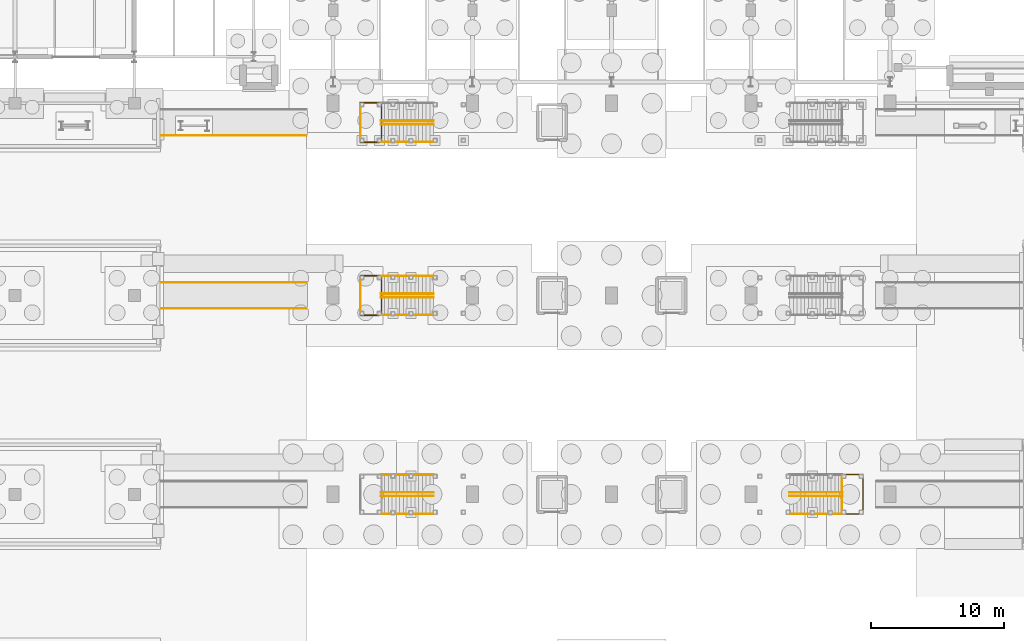
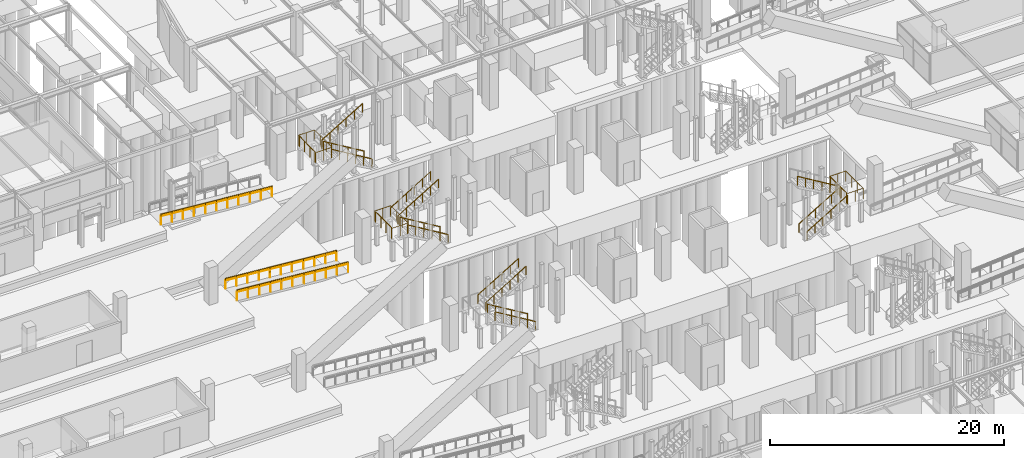
# One storey, part 156 of 160: 26 railings.
"""IFC4 building model written with IfcOpenShell, lengths in metres."""

import ifcopenshell
import ifcopenshell.guid

model = None  # the IFC model being written
_history = None  # IfcOwnerHistory: only IFC2X3 demands one
_inside = {}  # id of a spatial element -> (the spatial element, [elements in it])
_under = {}  # id of a project, library or spatial element -> (it, [spatial elements below it])
_declared = {}  # id of a project -> (the project, [libraries it declares])
_typed = {}  # id of a type object -> (the type object, [elements of that type])
_made_of = {}  # id of a material, layer set ... -> (it, [elements and type objects made of it])


def new_model(schema):
    """Start an empty IFC model of exactly this schema.

    Asked for "IFC4X3", IfcOpenShell would pick the latest addendum, in which some entities
    have other attributes; the version numbers below select the first issue.
    IFC2X3 requires an IfcOwnerHistory on every rooted entity: one is made here for all.
    """
    global model, _history
    if schema == "IFC4X3":
        model = ifcopenshell.file(schema_version=(4, 3, 0, 0))
    else:
        model = ifcopenshell.file(schema=schema)
    _inside.clear()
    _under.clear()
    _declared.clear()
    _typed.clear()
    _made_of.clear()
    _history = None
    if model.schema == "IFC2X3":
        org = make("IfcOrganization", Name="unknown")
        user = make(
            "IfcPersonAndOrganization",
            ThePerson=make("IfcPerson", FamilyName="unknown"),
            TheOrganization=org,
        )
        app = make(
            "IfcApplication",
            ApplicationDeveloper=org,
            Version="unknown",
            ApplicationFullName="unknown",
            ApplicationIdentifier="unknown",
        )
        _history = make(
            "IfcOwnerHistory",
            OwningUser=user,
            OwningApplication=app,
            ChangeAction="ADDED",
            CreationDate=0,
        )
    return model


def make(cls, **values):
    """One entity of the class cls with the attributes given. An attribute that is None is left unset."""
    return model.create_entity(
        cls, **{name: value for name, value in values.items() if value is not None}
    )


def rooted(cls, **values):
    """An entity with a GlobalId (a new one), such as an element, a storey or a relation."""
    return make(cls, GlobalId=ifcopenshell.guid.new(), OwnerHistory=_history, **values)


def si_unit(unit_type, name, prefix=None):
    """IfcSIUnit, for example si_unit("LENGTHUNIT", "METRE", prefix="MILLI")."""
    return make("IfcSIUnit", UnitType=unit_type, Prefix=prefix, Name=name)


def assignment(units):
    """IfcUnitAssignment: the units of a project."""
    return None if units is None else make("IfcUnitAssignment", Units=units)


def point(xyz):
    """IfcCartesianPoint."""
    return None if xyz is None else make("IfcCartesianPoint", Coordinates=xyz)


def direction(xyz):
    """IfcDirection."""
    return None if xyz is None else make("IfcDirection", DirectionRatios=xyz)


def frame(location, z_axis=None, x_axis=None):
    """IfcAxis2Placement3D, a coordinate frame: its origin and axes. An axis left out is left unset."""
    return make(
        "IfcAxis2Placement3D",
        Location=point(location),
        Axis=direction(z_axis),
        RefDirection=direction(x_axis),
    )


def frame_2d(location, x_axis=None):
    """IfcAxis2Placement2D, a coordinate frame in the plane: its origin and x axis."""
    return make(
        "IfcAxis2Placement2D", Location=point(location), RefDirection=direction(x_axis)
    )


def origin():
    """The frame at (0, 0, 0) with its axes left unset."""
    return frame((0.0, 0.0, 0.0))


def origin_2d():
    """The frame at (0, 0) in the plane with its x axis left unset."""
    return frame_2d((0.0, 0.0))


def place(relative_to, where):
    """IfcLocalPlacement: puts the frame where relative to a parent placement (None: the world)."""
    return make(
        "IfcLocalPlacement", PlacementRelTo=relative_to, RelativePlacement=where
    )


def context(
    kind, dimensions, precision=None, world=None, true_north=None, identifier=None
):
    """IfcGeometricRepresentationContext, for example the 3D "Model" context."""
    return make(
        "IfcGeometricRepresentationContext",
        ContextIdentifier=identifier,
        ContextType=kind,
        CoordinateSpaceDimension=dimensions,
        Precision=precision,
        WorldCoordinateSystem=world,
        TrueNorth=true_north,
    )


def subcontext(parent, identifier, kind, view, scale=None):
    """IfcGeometricRepresentationSubContext, for example "Body" below "Model"."""
    return make(
        "IfcGeometricRepresentationSubContext",
        ContextIdentifier=identifier,
        ContextType=kind,
        ParentContext=parent,
        TargetScale=scale,
        TargetView=view,
    )


def project(units=None, contexts=None):
    """IfcProject with its units and contexts."""
    return rooted(
        "IfcProject",
        Name="project",
        RepresentationContexts=contexts,
        UnitsInContext=assignment(units),
    )


def spatial(cls, under=None, at=None, **own):
    """A site, building, storey or space (cls), placed at a placement, below another one or the project."""
    s = rooted(cls, ObjectPlacement=at, **own)
    if under is not None:
        _under.setdefault(under.id(), (under, []))[1].append(s)
    return s


def profile(cls, at=None, kind="AREA", **sizes):
    """A parametric profile (cls). Its sizes go by their IFC names, for example OverallWidth=200.0."""
    return make(cls, ProfileType=kind, Position=at, **sizes)


def circle(**sizes):
    """IfcCircleProfileDef."""
    return profile("IfcCircleProfileDef", **sizes)


def extrude(swept, where, along, depth):
    """IfcExtrudedAreaSolid: the profile swept, set in the frame where, extruded along a direction by depth."""
    return make(
        "IfcExtrudedAreaSolid",
        SweptArea=swept,
        Position=where,
        ExtrudedDirection=direction(along),
        Depth=depth,
    )


def shape(context_of_items, identifier, shape_type, items):
    """IfcShapeRepresentation: the items that make up one representation, for example the "Body"."""
    return make(
        "IfcShapeRepresentation",
        ContextOfItems=context_of_items,
        RepresentationIdentifier=identifier,
        RepresentationType=shape_type,
        Items=items,
    )


def material(Name=None, Category=None):
    """IfcMaterial."""
    return make("IfcMaterial", Name=Name, Category=Category)


def made_of(thing, what):
    """Note that an element or type object is made of a material, layer set ...; save() writes the relation."""
    if what is not None:
        _made_of.setdefault(what.id(), (what, []))[1].append(thing)
    return thing


def type_object(cls, material=None, **own):
    """A type object (cls), such as IfcWallType, which elements share."""
    return made_of(rooted(cls, **own), material)


def element(
    cls,
    number,
    at=None,
    inside=None,
    cuts=None,
    type_object=None,
    material=None,
    context=None,
    identifier="Body",
    shape_type=None,
    held_by="IfcProductDefinitionShape",
    body=None,
    shapes=None,
    **own,
):
    """One element of the class cls, such as IfcWall. Its Tag is "e" and its number.

    at: its placement. inside: the storey or other place that contains it. cuts: it is an
    opening in that element (IfcRelVoidsElement). A single representation is given by context,
    identifier, shape_type and body (its items); several are given by shapes. held_by: the class
    of the entity that holds the representations. save() writes the other relations.
    """
    e = rooted(cls, Tag="e%d" % number, ObjectPlacement=at, **own)
    if body is not None:
        shapes = [shape(context, identifier, shape_type, body)]
    if shapes is not None:
        e.Representation = make(held_by, Representations=shapes)
    if inside is not None:
        _inside.setdefault(inside.id(), (inside, []))[1].append(e)
    if cuts is not None:
        rooted(
            "IfcRelVoidsElement", RelatingBuildingElement=cuts, RelatedOpeningElement=e
        )
    if type_object is not None:
        _typed.setdefault(type_object.id(), (type_object, []))[1].append(e)
    return made_of(e, material)


def aggregate(whole, parts):
    """IfcRelAggregates: a whole, such as a stair, and the parts it consists of."""
    return rooted("IfcRelAggregates", RelatingObject=whole, RelatedObjects=parts)


def save(model, path):
    """Write the relations noted so far, then the file.

    IfcRelAggregates (storeys below a building ...), IfcRelContainedInSpatialStructure (elements
    in a storey), IfcRelDefinesByType, IfcRelAssociatesMaterial and IfcRelDeclares: one each for
    every whole, place, type object, material and project.
    """
    for whole, parts in _under.values():
        aggregate(whole, parts)
    for where, things in _inside.values():
        rooted(
            "IfcRelContainedInSpatialStructure",
            RelatedElements=things,
            RelatingStructure=where,
        )
    for kind, things in _typed.values():
        rooted("IfcRelDefinesByType", RelatedObjects=things, RelatingType=kind)
    for what, things in _made_of.values():
        rooted("IfcRelAssociatesMaterial", RelatedObjects=things, RelatingMaterial=what)
    for by, libraries in _declared.values():
        rooted("IfcRelDeclares", RelatingContext=by, RelatedDefinitions=libraries)
    model.write(path)


model = new_model("IFC4")

# Units and contexts
model_context = context("Model", 3, precision=1e-05, world=origin(), true_north=direction((0.0, 1.0)))
body_context = subcontext(model_context, "Body", "Model", "MODEL_VIEW")
ifc_project = project(units=[si_unit("LENGTHUNIT", "METRE"), si_unit("AREAUNIT", "SQUARE_METRE"), si_unit("VOLUMEUNIT", "CUBIC_METRE"), si_unit("PLANEANGLEUNIT", "RADIAN"), si_unit("MASSUNIT", "GRAM", prefix="KILO")], contexts=[model_context])

# Site, building, storey
site_placement = place(None, origin())
site = spatial("IfcSite", under=ifc_project, at=site_placement, CompositionType="ELEMENT")
building_placement = place(site_placement, origin())
building = spatial("IfcBuilding", under=site, at=building_placement, Name="Marlcrest Central Station", CompositionType="ELEMENT")
storey_placement = place(building_placement, origin())
storey = spatial("IfcBuildingStorey", under=building, at=storey_placement, Name="L00", CompositionType="ELEMENT", Elevation=0.0)

# Railings
ifc_material_1 = material(Name="Stainless steel and laminated glass concourse balustrade", Category="steel")
railing_type_1 = type_object("IfcRailingType", Name="GR-02", PredefinedType="BALUSTRADE", material=ifc_material_1)
railing_1_placement = place(storey_placement, frame((125.3701171875, 64.510009765625, 2.39990234375)))
element("IfcRailing", 1, at=railing_1_placement, inside=storey, type_object=railing_type_1, Name="hr-L00-00096", PredefinedType="BALUSTRADE", context=body_context, shape_type="SweptSolid", body=[
    extrude(circle(Radius=0.02392578125, at=origin_2d()), frame((0.0, 0.0, 1.09619140625), z_axis=(1.0, 0.0, 0.0), x_axis=(0.0, 1.0, 0.0)), (0.0, 0.0, 1.0), 1.599853515625),
    extrude(circle(Radius=0.02392578125, at=origin_2d()), frame((1.599853515625, 0.0, 1.09619140625), z_axis=(0.0, 1.0, 0.0), x_axis=(-1.0, 0.0, 0.0)), (0.0, 0.0, 1.0), 2.97998046875),
    extrude(circle(Radius=0.02392578125, at=origin_2d()), frame((1.599853515625, 2.97998046875, 1.09619140625), z_axis=(-1.0, 0.0, 0.0), x_axis=(0.0, -1.0, 0.0)), (0.0, 0.0, 1.0), 1.599853515625),
    extrude(circle(Radius=0.02099609375, at=origin_2d()), origin(), (0.0, 0.0, 1.0), 1.072021484375),
    extrude(circle(Radius=0.02099609375, at=origin_2d()), frame((0.7998046875, 0.0, 0.0)), (0.0, 0.0, 1.0), 1.072021484375),
    extrude(circle(Radius=0.02099609375, at=origin_2d()), frame((1.599853515625, 0.0, 0.0)), (0.0, 0.0, 1.0), 1.072021484375),
    extrude(circle(Radius=0.02099609375, at=origin_2d()), frame((1.599853515625, 0.993408203125, 0.0)), (0.0, 0.0, 1.0), 1.072021484375),
    extrude(circle(Radius=0.02099609375, at=origin_2d()), frame((1.599853515625, 1.986572265625, 0.0)), (0.0, 0.0, 1.0), 1.072021484375),
    extrude(circle(Radius=0.02099609375, at=origin_2d()), frame((1.599853515625, 2.97998046875, 0.0)), (0.0, 0.0, 1.0), 1.072021484375),
    extrude(circle(Radius=0.02099609375, at=origin_2d()), frame((0.7998046875, 2.97998046875, 0.0)), (0.0, 0.0, 1.0), 1.072021484375),
    extrude(circle(Radius=0.02099609375, at=origin_2d()), frame((0.0, 2.97998046875, 0.0)), (0.0, 0.0, 1.0), 1.072021484375),
])
for number, where, name in (
    (2, (85.0, 80.010009765625, 0.0), "hr-L00-00110"),
    (3, (85.0, 81.989990234375, 0.0), "hr-L00-00112"),
):
    element("IfcRailing", number, at=place(storey_placement, frame(where)), inside=storey, type_object=railing_type_1, Name=name, PredefinedType="BALUSTRADE", context=body_context, shape_type="SweptSolid", body=[
        extrude(circle(Radius=0.02392578125, at=origin_2d()), frame((0.0, 0.0, 1.09619140625), z_axis=(-0.996557950635, 0.0, 0.082899041171), x_axis=(0.0, -1.0, 0.0)), (0.0, 0.0, 1.0), 11.0380859375),
        extrude(circle(Radius=0.02099609375, at=origin_2d()), origin(), (0.0, 0.0, 1.0), 1.072021484375),
        extrude(circle(Radius=0.02099609375, at=origin_2d()), frame((-1.10009765625, 0.0, 0.091552734375)), (0.0, 0.0, 1.0), 1.072021484375),
        extrude(circle(Radius=0.02099609375, at=origin_2d()), frame((-2.199951171875, 0.0, 0.18310546875)), (0.0, 0.0, 1.0), 1.072021484375),
        extrude(circle(Radius=0.02099609375, at=origin_2d()), frame((-3.300048828125, 0.0, 0.2744140625)), (0.0, 0.0, 1.0), 1.072021484375),
        extrude(circle(Radius=0.02099609375, at=origin_2d()), frame((-4.39990234375, 0.0, 0.365966796875)), (0.0, 0.0, 1.0), 1.072021484375),
        extrude(circle(Radius=0.02099609375, at=origin_2d()), frame((-5.5, 0.0, 0.45751953125)), (0.0, 0.0, 1.0), 1.072021484375),
        extrude(circle(Radius=0.02099609375, at=origin_2d()), frame((-6.60009765625, 0.0, 0.549072265625)), (0.0, 0.0, 1.0), 1.072021484375),
        extrude(circle(Radius=0.02099609375, at=origin_2d()), frame((-7.699951171875, 0.0, 0.640625)), (0.0, 0.0, 1.0), 1.072021484375),
        extrude(circle(Radius=0.02099609375, at=origin_2d()), frame((-8.800048828125, 0.0, 0.73193359375)), (0.0, 0.0, 1.0), 1.072021484375),
        extrude(circle(Radius=0.02099609375, at=origin_2d()), frame((-9.89990234375, 0.0, 0.823486328125)), (0.0, 0.0, 1.0), 1.072021484375),
        extrude(circle(Radius=0.02099609375, at=origin_2d()), frame((-11.0, 0.0, 0.9150390625)), (0.0, 0.0, 1.0), 1.072021484375),
    ])
railing_2_placement = place(storey_placement, frame((89.030029296875, 79.510009765625, 2.39990234375)))
element("IfcRailing", 4, at=railing_2_placement, inside=storey, type_object=railing_type_1, Name="hr-L00-00113", PredefinedType="BALUSTRADE", context=body_context, shape_type="SweptSolid", body=[
    extrude(circle(Radius=0.02392578125, at=origin_2d()), frame((0.0, 0.0, 1.09619140625), z_axis=(1.0, 0.0, 0.0), x_axis=(0.0, 1.0, 0.0)), (0.0, 0.0, 1.0), 1.599853515625),
    extrude(circle(Radius=0.02392578125, at=origin_2d()), frame((1.599853515625, 0.0, 1.09619140625), z_axis=(0.0, 1.0, 0.0), x_axis=(-1.0, 0.0, 0.0)), (0.0, 0.0, 1.0), 2.97998046875),
    extrude(circle(Radius=0.02392578125, at=origin_2d()), frame((1.599853515625, 2.97998046875, 1.09619140625), z_axis=(-1.0, 0.0, 0.0), x_axis=(0.0, -1.0, 0.0)), (0.0, 0.0, 1.0), 1.599853515625),
    extrude(circle(Radius=0.02099609375, at=origin_2d()), origin(), (0.0, 0.0, 1.0), 1.072021484375),
    extrude(circle(Radius=0.02099609375, at=origin_2d()), frame((0.7998046875, 0.0, 0.0)), (0.0, 0.0, 1.0), 1.072021484375),
    extrude(circle(Radius=0.02099609375, at=origin_2d()), frame((1.599853515625, 0.0, 0.0)), (0.0, 0.0, 1.0), 1.072021484375),
    extrude(circle(Radius=0.02099609375, at=origin_2d()), frame((1.599853515625, 0.993408203125, 0.0)), (0.0, 0.0, 1.0), 1.072021484375),
    extrude(circle(Radius=0.02099609375, at=origin_2d()), frame((1.599853515625, 1.986572265625, 0.0)), (0.0, 0.0, 1.0), 1.072021484375),
    extrude(circle(Radius=0.02099609375, at=origin_2d()), frame((1.599853515625, 2.97998046875, 0.0)), (0.0, 0.0, 1.0), 1.072021484375),
    extrude(circle(Radius=0.02099609375, at=origin_2d()), frame((0.7998046875, 2.97998046875, 0.0)), (0.0, 0.0, 1.0), 1.072021484375),
    extrude(circle(Radius=0.02099609375, at=origin_2d()), frame((0.0, 2.97998046875, 0.0)), (0.0, 0.0, 1.0), 1.072021484375),
])
railing_3_placement = place(storey_placement, frame((85.0, 93.06005859375, 0.0)))
element("IfcRailing", 5, at=railing_3_placement, inside=storey, type_object=railing_type_1, Name="hr-L00-00144", PredefinedType="BALUSTRADE", context=body_context, shape_type="SweptSolid", body=[
    extrude(circle(Radius=0.02392578125, at=origin_2d()), frame((0.0, 0.0, 1.09619140625), z_axis=(-0.996557950635, 0.0, 0.082899041171), x_axis=(0.0, -1.0, 0.0)), (0.0, 0.0, 1.0), 11.0380859375),
    extrude(circle(Radius=0.02099609375, at=origin_2d()), origin(), (0.0, 0.0, 1.0), 1.072021484375),
    extrude(circle(Radius=0.02099609375, at=origin_2d()), frame((-1.10009765625, 0.0, 0.091552734375)), (0.0, 0.0, 1.0), 1.072021484375),
    extrude(circle(Radius=0.02099609375, at=origin_2d()), frame((-2.199951171875, 0.0, 0.18310546875)), (0.0, 0.0, 1.0), 1.072021484375),
    extrude(circle(Radius=0.02099609375, at=origin_2d()), frame((-3.300048828125, 0.0, 0.2744140625)), (0.0, 0.0, 1.0), 1.072021484375),
    extrude(circle(Radius=0.02099609375, at=origin_2d()), frame((-4.39990234375, 0.0, 0.365966796875)), (0.0, 0.0, 1.0), 1.072021484375),
    extrude(circle(Radius=0.02099609375, at=origin_2d()), frame((-5.5, 0.0, 0.45751953125)), (0.0, 0.0, 1.0), 1.072021484375),
    extrude(circle(Radius=0.02099609375, at=origin_2d()), frame((-6.60009765625, 0.0, 0.549072265625)), (0.0, 0.0, 1.0), 1.072021484375),
    extrude(circle(Radius=0.02099609375, at=origin_2d()), frame((-7.699951171875, 0.0, 0.640625)), (0.0, 0.0, 1.0), 1.072021484375),
    extrude(circle(Radius=0.02099609375, at=origin_2d()), frame((-8.800048828125, 0.0, 0.73193359375)), (0.0, 0.0, 1.0), 1.072021484375),
    extrude(circle(Radius=0.02099609375, at=origin_2d()), frame((-9.89990234375, 0.0, 0.823486328125)), (0.0, 0.0, 1.0), 1.072021484375),
    extrude(circle(Radius=0.02099609375, at=origin_2d()), frame((-11.0, 0.0, 0.9150390625)), (0.0, 0.0, 1.0), 1.072021484375),
])
railing_4_placement = place(storey_placement, frame((89.030029296875, 92.56005859375, 2.39990234375)))
element("IfcRailing", 6, at=railing_4_placement, inside=storey, type_object=railing_type_1, Name="hr-L00-00147", PredefinedType="BALUSTRADE", context=body_context, shape_type="SweptSolid", body=[
    extrude(circle(Radius=0.02392578125, at=origin_2d()), frame((0.0, 0.0, 1.09619140625), z_axis=(1.0, 0.0, 0.0), x_axis=(0.0, 1.0, 0.0)), (0.0, 0.0, 1.0), 1.599853515625),
    extrude(circle(Radius=0.02392578125, at=origin_2d()), frame((1.599853515625, 0.0, 1.09619140625), z_axis=(0.0, 1.0, 0.0), x_axis=(-1.0, 0.0, 0.0)), (0.0, 0.0, 1.0), 2.97998046875),
    extrude(circle(Radius=0.02392578125, at=origin_2d()), frame((1.599853515625, 2.97998046875, 1.09619140625), z_axis=(-1.0, 0.0, 0.0), x_axis=(0.0, -1.0, 0.0)), (0.0, 0.0, 1.0), 1.599853515625),
    extrude(circle(Radius=0.02099609375, at=origin_2d()), origin(), (0.0, 0.0, 1.0), 1.072021484375),
    extrude(circle(Radius=0.02099609375, at=origin_2d()), frame((0.7998046875, 0.0, 0.0)), (0.0, 0.0, 1.0), 1.072021484375),
    extrude(circle(Radius=0.02099609375, at=origin_2d()), frame((1.599853515625, 0.0, 0.0)), (0.0, 0.0, 1.0), 1.072021484375),
    extrude(circle(Radius=0.02099609375, at=origin_2d()), frame((1.599853515625, 0.993408203125, 0.0)), (0.0, 0.0, 1.0), 1.072021484375),
    extrude(circle(Radius=0.02099609375, at=origin_2d()), frame((1.599853515625, 1.986572265625, 0.0)), (0.0, 0.0, 1.0), 1.072021484375),
    extrude(circle(Radius=0.02099609375, at=origin_2d()), frame((1.599853515625, 2.97998046875, 0.0)), (0.0, 0.0, 1.0), 1.072021484375),
    extrude(circle(Radius=0.02099609375, at=origin_2d()), frame((0.7998046875, 2.97998046875, 0.0)), (0.0, 0.0, 1.0), 1.072021484375),
    extrude(circle(Radius=0.02099609375, at=origin_2d()), frame((0.0, 2.97998046875, 0.0)), (0.0, 0.0, 1.0), 1.072021484375),
])
for number, where, name in (
    (7, (125.389892578125, 64.64990234375, 2.39990234375), "hr-L00-00579"),
    (8, (89.050048828125, 79.64990234375, 2.39990234375), "hr-L00-00581"),
):
    element("IfcRailing", number, at=place(storey_placement, frame(where)), inside=storey, type_object=railing_type_1, Name=name, PredefinedType="BALUSTRADE", context=body_context, shape_type="SweptSolid", body=[
        extrude(circle(Radius=0.02392578125, at=origin_2d()), frame((0.0, 0.0, 1.09619140625), z_axis=(0.0, 1.0, 0.0), x_axis=(-1.0, 0.0, 0.0)), (0.0, 0.0, 1.0), 2.7001953125),
        extrude(circle(Radius=0.02099609375, at=origin_2d()), origin(), (0.0, 0.0, 1.0), 1.072021484375),
        extrude(circle(Radius=0.02099609375, at=origin_2d()), frame((0.0, 0.900146484375, 0.0)), (0.0, 0.0, 1.0), 1.072021484375),
        extrude(circle(Radius=0.02099609375, at=origin_2d()), frame((0.0, 1.800048828125, 0.0)), (0.0, 0.0, 1.0), 1.072021484375),
        extrude(circle(Radius=0.02099609375, at=origin_2d()), frame((0.0, 2.7001953125, 0.0)), (0.0, 0.0, 1.0), 1.072021484375),
    ])
railing_5_placement = place(storey_placement, frame((89.050048828125, 92.699951171875, 2.39990234375)))
element("IfcRailing", 9, at=railing_5_placement, inside=storey, type_object=railing_type_1, Name="hr-L00-00585", PredefinedType="BALUSTRADE", context=body_context, shape_type="SweptSolid", body=[
    extrude(circle(Radius=0.02392578125, at=origin_2d()), frame((0.0, 0.0, 1.09619140625), z_axis=(0.0, 1.0, 0.0), x_axis=(-1.0, 0.0, 0.0)), (0.0, 0.0, 1.0), 2.699951171875),
    extrude(circle(Radius=0.02099609375, at=origin_2d()), origin(), (0.0, 0.0, 1.0), 1.072021484375),
    extrude(circle(Radius=0.02099609375, at=origin_2d()), frame((0.0, 0.89990234375, 0.0)), (0.0, 0.0, 1.0), 1.072021484375),
    extrude(circle(Radius=0.02099609375, at=origin_2d()), frame((0.0, 1.800048828125, 0.0)), (0.0, 0.0, 1.0), 1.072021484375),
    extrude(circle(Radius=0.02099609375, at=origin_2d()), frame((0.0, 2.699951171875, 0.0)), (0.0, 0.0, 1.0), 1.072021484375),
])
ifc_material_2 = material(Name="Brushed stainless steel handrail", Category="steel")
railing_type_2 = type_object("IfcRailingType", Name="HR-01", PredefinedType="HANDRAIL", material=ifc_material_2)
railing_6_placement = place(storey_placement, frame((94.580078125, 64.52490234375, 0.0)))
element("IfcRailing", 10, at=railing_6_placement, inside=storey, type_object=railing_type_2, Name="hr-L00-00071", PredefinedType="HANDRAIL", context=body_context, shape_type="SweptSolid", body=[
    extrude(circle(Radius=0.02392578125, at=origin_2d()), frame((0.0, 0.0, 0.89599609375), z_axis=(-0.856932605607, 0.0, 0.515428471708), x_axis=(0.0, -1.0, 0.0)), (0.0, 0.0, 1.0), 4.65625),
    extrude(circle(Radius=0.02099609375, at=origin_2d()), origin(), (0.0, 0.0, 1.0), 0.871826171875),
    extrude(circle(Radius=0.02099609375, at=origin_2d()), frame((-0.798095703125, 0.0, 0.47998046875)), (0.0, 0.0, 1.0), 0.871826171875),
    extrude(circle(Radius=0.02099609375, at=origin_2d()), frame((-1.595947265625, 0.0, 0.9599609375)), (0.0, 0.0, 1.0), 0.871826171875),
    extrude(circle(Radius=0.02099609375, at=origin_2d()), frame((-2.39404296875, 0.0, 1.43994140625)), (0.0, 0.0, 1.0), 0.871826171875),
    extrude(circle(Radius=0.02099609375, at=origin_2d()), frame((-3.19189453125, 0.0, 1.919921875)), (0.0, 0.0, 1.0), 0.871826171875),
    extrude(circle(Radius=0.02099609375, at=origin_2d()), frame((-3.989990234375, 0.0, 2.39990234375)), (0.0, 0.0, 1.0), 0.871826171875),
])
railing_7_placement = place(storey_placement, frame((90.590087890625, 66.135009765625, 2.39990234375)))
element("IfcRailing", 11, at=railing_7_placement, inside=storey, type_object=railing_type_2, Name="hr-L00-00072", PredefinedType="HANDRAIL", context=body_context, shape_type="SweptSolid", body=[
    extrude(circle(Radius=0.02392578125, at=origin_2d()), frame((0.0, 0.0, 0.89599609375), z_axis=(0.856909445827, 0.0, 0.515466974357), x_axis=(0.0, 1.0, 0.0)), (0.0, 0.0, 1.0), 4.65625),
    extrude(circle(Radius=0.02099609375, at=origin_2d()), origin(), (0.0, 0.0, 1.0), 0.871826171875),
    extrude(circle(Radius=0.02099609375, at=origin_2d()), frame((0.798095703125, 0.0, 0.47998046875)), (0.0, 0.0, 1.0), 0.871826171875),
    extrude(circle(Radius=0.02099609375, at=origin_2d()), frame((1.595947265625, 0.0, 0.9599609375)), (0.0, 0.0, 1.0), 0.871826171875),
    extrude(circle(Radius=0.02099609375, at=origin_2d()), frame((2.39404296875, 0.0, 1.440185546875)), (0.0, 0.0, 1.0), 0.871826171875),
    extrude(circle(Radius=0.02099609375, at=origin_2d()), frame((3.19189453125, 0.0, 1.920166015625)), (0.0, 0.0, 1.0), 0.871826171875),
    extrude(circle(Radius=0.02099609375, at=origin_2d()), frame((3.989990234375, 0.0, 2.400146484375)), (0.0, 0.0, 1.0), 0.871826171875),
])
railing_8_placement = place(storey_placement, frame((94.580078125, 65.864990234375, 0.0)))
element("IfcRailing", 12, at=railing_8_placement, inside=storey, type_object=railing_type_2, Name="hr-L00-00073", PredefinedType="HANDRAIL", context=body_context, shape_type="SweptSolid", body=[
    extrude(circle(Radius=0.02392578125, at=origin_2d()), frame((0.0, 0.0, 0.89599609375), z_axis=(-0.856932605607, 0.0, 0.515428471708), x_axis=(0.0, -1.0, 0.0)), (0.0, 0.0, 1.0), 4.65625),
    extrude(circle(Radius=0.02099609375, at=origin_2d()), origin(), (0.0, 0.0, 1.0), 0.871826171875),
    extrude(circle(Radius=0.02099609375, at=origin_2d()), frame((-0.798095703125, 0.0, 0.47998046875)), (0.0, 0.0, 1.0), 0.871826171875),
    extrude(circle(Radius=0.02099609375, at=origin_2d()), frame((-1.595947265625, 0.0, 0.9599609375)), (0.0, 0.0, 1.0), 0.871826171875),
    extrude(circle(Radius=0.02099609375, at=origin_2d()), frame((-2.39404296875, 0.0, 1.43994140625)), (0.0, 0.0, 1.0), 0.871826171875),
    extrude(circle(Radius=0.02099609375, at=origin_2d()), frame((-3.19189453125, 0.0, 1.919921875)), (0.0, 0.0, 1.0), 0.871826171875),
    extrude(circle(Radius=0.02099609375, at=origin_2d()), frame((-3.989990234375, 0.0, 2.39990234375)), (0.0, 0.0, 1.0), 0.871826171875),
])
railing_9_placement = place(storey_placement, frame((90.590087890625, 67.47509765625, 2.39990234375)))
element("IfcRailing", 13, at=railing_9_placement, inside=storey, type_object=railing_type_2, Name="hr-L00-00074", PredefinedType="HANDRAIL", context=body_context, shape_type="SweptSolid", body=[
    extrude(circle(Radius=0.02392578125, at=origin_2d()), frame((0.0, 0.0, 0.89599609375), z_axis=(0.856909445827, 0.0, 0.515466974357), x_axis=(0.0, 1.0, 0.0)), (0.0, 0.0, 1.0), 4.65625),
    extrude(circle(Radius=0.02099609375, at=origin_2d()), origin(), (0.0, 0.0, 1.0), 0.871826171875),
    extrude(circle(Radius=0.02099609375, at=origin_2d()), frame((0.798095703125, 0.0, 0.47998046875)), (0.0, 0.0, 1.0), 0.871826171875),
    extrude(circle(Radius=0.02099609375, at=origin_2d()), frame((1.595947265625, 0.0, 0.9599609375)), (0.0, 0.0, 1.0), 0.871826171875),
    extrude(circle(Radius=0.02099609375, at=origin_2d()), frame((2.39404296875, 0.0, 1.440185546875)), (0.0, 0.0, 1.0), 0.871826171875),
    extrude(circle(Radius=0.02099609375, at=origin_2d()), frame((3.19189453125, 0.0, 1.920166015625)), (0.0, 0.0, 1.0), 0.871826171875),
    extrude(circle(Radius=0.02099609375, at=origin_2d()), frame((3.989990234375, 0.0, 2.400146484375)), (0.0, 0.0, 1.0), 0.871826171875),
])
railing_10_placement = place(storey_placement, frame((121.419921875, 64.52490234375, 0.0)))
element("IfcRailing", 14, at=railing_10_placement, inside=storey, type_object=railing_type_2, Name="hr-L00-00088", PredefinedType="HANDRAIL", context=body_context, shape_type="SweptSolid", body=[
    extrude(circle(Radius=0.02392578125, at=origin_2d()), frame((0.0, 0.0, 0.89599609375), z_axis=(0.856932605607, 0.0, 0.515428471708), x_axis=(0.0, 1.0, 0.0)), (0.0, 0.0, 1.0), 4.65625),
    extrude(circle(Radius=0.02099609375, at=origin_2d()), origin(), (0.0, 0.0, 1.0), 0.871826171875),
    extrude(circle(Radius=0.02099609375, at=origin_2d()), frame((0.798095703125, 0.0, 0.47998046875)), (0.0, 0.0, 1.0), 0.871826171875),
    extrude(circle(Radius=0.02099609375, at=origin_2d()), frame((1.595947265625, 0.0, 0.9599609375)), (0.0, 0.0, 1.0), 0.871826171875),
    extrude(circle(Radius=0.02099609375, at=origin_2d()), frame((2.39404296875, 0.0, 1.43994140625)), (0.0, 0.0, 1.0), 0.871826171875),
    extrude(circle(Radius=0.02099609375, at=origin_2d()), frame((3.19189453125, 0.0, 1.919921875)), (0.0, 0.0, 1.0), 0.871826171875),
    extrude(circle(Radius=0.02099609375, at=origin_2d()), frame((3.989990234375, 0.0, 2.39990234375)), (0.0, 0.0, 1.0), 0.871826171875),
])
railing_11_placement = place(storey_placement, frame((125.409912109375, 66.135009765625, 2.39990234375)))
element("IfcRailing", 15, at=railing_11_placement, inside=storey, type_object=railing_type_2, Name="hr-L00-00089", PredefinedType="HANDRAIL", context=body_context, shape_type="SweptSolid", body=[
    extrude(circle(Radius=0.02392578125, at=origin_2d()), frame((0.0, 0.0, 0.89599609375), z_axis=(-0.856909445827, 0.0, 0.515466974357), x_axis=(0.0, -1.0, 0.0)), (0.0, 0.0, 1.0), 4.65625),
    extrude(circle(Radius=0.02099609375, at=origin_2d()), origin(), (0.0, 0.0, 1.0), 0.871826171875),
    extrude(circle(Radius=0.02099609375, at=origin_2d()), frame((-0.798095703125, 0.0, 0.47998046875)), (0.0, 0.0, 1.0), 0.871826171875),
    extrude(circle(Radius=0.02099609375, at=origin_2d()), frame((-1.595947265625, 0.0, 0.9599609375)), (0.0, 0.0, 1.0), 0.871826171875),
    extrude(circle(Radius=0.02099609375, at=origin_2d()), frame((-2.39404296875, 0.0, 1.440185546875)), (0.0, 0.0, 1.0), 0.871826171875),
    extrude(circle(Radius=0.02099609375, at=origin_2d()), frame((-3.19189453125, 0.0, 1.920166015625)), (0.0, 0.0, 1.0), 0.871826171875),
    extrude(circle(Radius=0.02099609375, at=origin_2d()), frame((-3.989990234375, 0.0, 2.400146484375)), (0.0, 0.0, 1.0), 0.871826171875),
])
railing_12_placement = place(storey_placement, frame((121.419921875, 65.864990234375, 0.0)))
element("IfcRailing", 16, at=railing_12_placement, inside=storey, type_object=railing_type_2, Name="hr-L00-00090", PredefinedType="HANDRAIL", context=body_context, shape_type="SweptSolid", body=[
    extrude(circle(Radius=0.02392578125, at=origin_2d()), frame((0.0, 0.0, 0.89599609375), z_axis=(0.856932605607, 0.0, 0.515428471708), x_axis=(0.0, 1.0, 0.0)), (0.0, 0.0, 1.0), 4.65625),
    extrude(circle(Radius=0.02099609375, at=origin_2d()), origin(), (0.0, 0.0, 1.0), 0.871826171875),
    extrude(circle(Radius=0.02099609375, at=origin_2d()), frame((0.798095703125, 0.0, 0.47998046875)), (0.0, 0.0, 1.0), 0.871826171875),
    extrude(circle(Radius=0.02099609375, at=origin_2d()), frame((1.595947265625, 0.0, 0.9599609375)), (0.0, 0.0, 1.0), 0.871826171875),
    extrude(circle(Radius=0.02099609375, at=origin_2d()), frame((2.39404296875, 0.0, 1.43994140625)), (0.0, 0.0, 1.0), 0.871826171875),
    extrude(circle(Radius=0.02099609375, at=origin_2d()), frame((3.19189453125, 0.0, 1.919921875)), (0.0, 0.0, 1.0), 0.871826171875),
    extrude(circle(Radius=0.02099609375, at=origin_2d()), frame((3.989990234375, 0.0, 2.39990234375)), (0.0, 0.0, 1.0), 0.871826171875),
])
railing_13_placement = place(storey_placement, frame((94.580078125, 79.52490234375, 0.0)))
element("IfcRailing", 17, at=railing_13_placement, inside=storey, type_object=railing_type_2, Name="hr-L00-00105", PredefinedType="HANDRAIL", context=body_context, shape_type="SweptSolid", body=[
    extrude(circle(Radius=0.02392578125, at=origin_2d()), frame((0.0, 0.0, 0.89599609375), z_axis=(-0.856932605607, 0.0, 0.515428471708), x_axis=(0.0, -1.0, 0.0)), (0.0, 0.0, 1.0), 4.65625),
    extrude(circle(Radius=0.02099609375, at=origin_2d()), origin(), (0.0, 0.0, 1.0), 0.871826171875),
    extrude(circle(Radius=0.02099609375, at=origin_2d()), frame((-0.798095703125, 0.0, 0.47998046875)), (0.0, 0.0, 1.0), 0.871826171875),
    extrude(circle(Radius=0.02099609375, at=origin_2d()), frame((-1.595947265625, 0.0, 0.9599609375)), (0.0, 0.0, 1.0), 0.871826171875),
    extrude(circle(Radius=0.02099609375, at=origin_2d()), frame((-2.39404296875, 0.0, 1.43994140625)), (0.0, 0.0, 1.0), 0.871826171875),
    extrude(circle(Radius=0.02099609375, at=origin_2d()), frame((-3.19189453125, 0.0, 1.919921875)), (0.0, 0.0, 1.0), 0.871826171875),
    extrude(circle(Radius=0.02099609375, at=origin_2d()), frame((-3.989990234375, 0.0, 2.39990234375)), (0.0, 0.0, 1.0), 0.871826171875),
])
railing_14_placement = place(storey_placement, frame((90.590087890625, 81.135009765625, 2.39990234375)))
element("IfcRailing", 18, at=railing_14_placement, inside=storey, type_object=railing_type_2, Name="hr-L00-00106", PredefinedType="HANDRAIL", context=body_context, shape_type="SweptSolid", body=[
    extrude(circle(Radius=0.02392578125, at=origin_2d()), frame((0.0, 0.0, 0.89599609375), z_axis=(0.856909445827, 0.0, 0.515466974357), x_axis=(0.0, 1.0, 0.0)), (0.0, 0.0, 1.0), 4.65625),
    extrude(circle(Radius=0.02099609375, at=origin_2d()), origin(), (0.0, 0.0, 1.0), 0.871826171875),
    extrude(circle(Radius=0.02099609375, at=origin_2d()), frame((0.798095703125, 0.0, 0.47998046875)), (0.0, 0.0, 1.0), 0.871826171875),
    extrude(circle(Radius=0.02099609375, at=origin_2d()), frame((1.595947265625, 0.0, 0.9599609375)), (0.0, 0.0, 1.0), 0.871826171875),
    extrude(circle(Radius=0.02099609375, at=origin_2d()), frame((2.39404296875, 0.0, 1.440185546875)), (0.0, 0.0, 1.0), 0.871826171875),
    extrude(circle(Radius=0.02099609375, at=origin_2d()), frame((3.19189453125, 0.0, 1.920166015625)), (0.0, 0.0, 1.0), 0.871826171875),
    extrude(circle(Radius=0.02099609375, at=origin_2d()), frame((3.989990234375, 0.0, 2.400146484375)), (0.0, 0.0, 1.0), 0.871826171875),
])
railing_15_placement = place(storey_placement, frame((94.580078125, 80.864990234375, 0.0)))
element("IfcRailing", 19, at=railing_15_placement, inside=storey, type_object=railing_type_2, Name="hr-L00-00107", PredefinedType="HANDRAIL", context=body_context, shape_type="SweptSolid", body=[
    extrude(circle(Radius=0.02392578125, at=origin_2d()), frame((0.0, 0.0, 0.89599609375), z_axis=(-0.856932605607, 0.0, 0.515428471708), x_axis=(0.0, -1.0, 0.0)), (0.0, 0.0, 1.0), 4.65625),
    extrude(circle(Radius=0.02099609375, at=origin_2d()), origin(), (0.0, 0.0, 1.0), 0.871826171875),
    extrude(circle(Radius=0.02099609375, at=origin_2d()), frame((-0.798095703125, 0.0, 0.47998046875)), (0.0, 0.0, 1.0), 0.871826171875),
    extrude(circle(Radius=0.02099609375, at=origin_2d()), frame((-1.595947265625, 0.0, 0.9599609375)), (0.0, 0.0, 1.0), 0.871826171875),
    extrude(circle(Radius=0.02099609375, at=origin_2d()), frame((-2.39404296875, 0.0, 1.43994140625)), (0.0, 0.0, 1.0), 0.871826171875),
    extrude(circle(Radius=0.02099609375, at=origin_2d()), frame((-3.19189453125, 0.0, 1.919921875)), (0.0, 0.0, 1.0), 0.871826171875),
    extrude(circle(Radius=0.02099609375, at=origin_2d()), frame((-3.989990234375, 0.0, 2.39990234375)), (0.0, 0.0, 1.0), 0.871826171875),
])
railing_16_placement = place(storey_placement, frame((90.590087890625, 82.47509765625, 2.39990234375)))
element("IfcRailing", 20, at=railing_16_placement, inside=storey, type_object=railing_type_2, Name="hr-L00-00108", PredefinedType="HANDRAIL", context=body_context, shape_type="SweptSolid", body=[
    extrude(circle(Radius=0.02392578125, at=origin_2d()), frame((0.0, 0.0, 0.89599609375), z_axis=(0.856909445827, 0.0, 0.515466974357), x_axis=(0.0, 1.0, 0.0)), (0.0, 0.0, 1.0), 4.65625),
    extrude(circle(Radius=0.02099609375, at=origin_2d()), origin(), (0.0, 0.0, 1.0), 0.871826171875),
    extrude(circle(Radius=0.02099609375, at=origin_2d()), frame((0.798095703125, 0.0, 0.47998046875)), (0.0, 0.0, 1.0), 0.871826171875),
    extrude(circle(Radius=0.02099609375, at=origin_2d()), frame((1.595947265625, 0.0, 0.9599609375)), (0.0, 0.0, 1.0), 0.871826171875),
    extrude(circle(Radius=0.02099609375, at=origin_2d()), frame((2.39404296875, 0.0, 1.440185546875)), (0.0, 0.0, 1.0), 0.871826171875),
    extrude(circle(Radius=0.02099609375, at=origin_2d()), frame((3.19189453125, 0.0, 1.920166015625)), (0.0, 0.0, 1.0), 0.871826171875),
    extrude(circle(Radius=0.02099609375, at=origin_2d()), frame((3.989990234375, 0.0, 2.400146484375)), (0.0, 0.0, 1.0), 0.871826171875),
])
for number, where, name in (
    (21, (85.0, 80.010009765625, 0.0), "hr-L00-00109"),
    (22, (85.0, 81.989990234375, 0.0), "hr-L00-00111"),
):
    element("IfcRailing", number, at=place(storey_placement, frame(where)), inside=storey, type_object=railing_type_2, Name=name, PredefinedType="HANDRAIL", context=body_context, shape_type="SweptSolid", body=[
        extrude(circle(Radius=0.02392578125, at=origin_2d()), frame((0.0, 0.0, 0.89599609375), z_axis=(-0.996557950635, 0.0, 0.082899041171), x_axis=(0.0, -1.0, 0.0)), (0.0, 0.0, 1.0), 11.0380859375),
        extrude(circle(Radius=0.02099609375, at=origin_2d()), origin(), (0.0, 0.0, 1.0), 0.871826171875),
        extrude(circle(Radius=0.02099609375, at=origin_2d()), frame((-1.10009765625, 0.0, 0.091552734375)), (0.0, 0.0, 1.0), 0.871826171875),
        extrude(circle(Radius=0.02099609375, at=origin_2d()), frame((-2.199951171875, 0.0, 0.18310546875)), (0.0, 0.0, 1.0), 0.871826171875),
        extrude(circle(Radius=0.02099609375, at=origin_2d()), frame((-3.300048828125, 0.0, 0.2744140625)), (0.0, 0.0, 1.0), 0.871826171875),
        extrude(circle(Radius=0.02099609375, at=origin_2d()), frame((-4.39990234375, 0.0, 0.365966796875)), (0.0, 0.0, 1.0), 0.871826171875),
        extrude(circle(Radius=0.02099609375, at=origin_2d()), frame((-5.5, 0.0, 0.45751953125)), (0.0, 0.0, 1.0), 0.871826171875),
        extrude(circle(Radius=0.02099609375, at=origin_2d()), frame((-6.60009765625, 0.0, 0.549072265625)), (0.0, 0.0, 1.0), 0.871826171875),
        extrude(circle(Radius=0.02099609375, at=origin_2d()), frame((-7.699951171875, 0.0, 0.640625)), (0.0, 0.0, 1.0), 0.871826171875),
        extrude(circle(Radius=0.02099609375, at=origin_2d()), frame((-8.800048828125, 0.0, 0.73193359375)), (0.0, 0.0, 1.0), 0.871826171875),
        extrude(circle(Radius=0.02099609375, at=origin_2d()), frame((-9.89990234375, 0.0, 0.823486328125)), (0.0, 0.0, 1.0), 0.871826171875),
        extrude(circle(Radius=0.02099609375, at=origin_2d()), frame((-11.0, 0.0, 0.9150390625)), (0.0, 0.0, 1.0), 0.871826171875),
    ])
railing_17_placement = place(storey_placement, frame((94.580078125, 92.574951171875, 0.0)))
element("IfcRailing", 23, at=railing_17_placement, inside=storey, type_object=railing_type_2, Name="hr-L00-00139", PredefinedType="HANDRAIL", context=body_context, shape_type="SweptSolid", body=[
    extrude(circle(Radius=0.02392578125, at=origin_2d()), frame((0.0, 0.0, 0.89599609375), z_axis=(-0.856932605607, 0.0, 0.515428471708), x_axis=(0.0, -1.0, 0.0)), (0.0, 0.0, 1.0), 4.65625),
    extrude(circle(Radius=0.02099609375, at=origin_2d()), origin(), (0.0, 0.0, 1.0), 0.871826171875),
    extrude(circle(Radius=0.02099609375, at=origin_2d()), frame((-0.798095703125, 0.0, 0.47998046875)), (0.0, 0.0, 1.0), 0.871826171875),
    extrude(circle(Radius=0.02099609375, at=origin_2d()), frame((-1.595947265625, 0.0, 0.9599609375)), (0.0, 0.0, 1.0), 0.871826171875),
    extrude(circle(Radius=0.02099609375, at=origin_2d()), frame((-2.39404296875, 0.0, 1.43994140625)), (0.0, 0.0, 1.0), 0.871826171875),
    extrude(circle(Radius=0.02099609375, at=origin_2d()), frame((-3.19189453125, 0.0, 1.919921875)), (0.0, 0.0, 1.0), 0.871826171875),
    extrude(circle(Radius=0.02099609375, at=origin_2d()), frame((-3.989990234375, 0.0, 2.39990234375)), (0.0, 0.0, 1.0), 0.871826171875),
])
railing_18_placement = place(storey_placement, frame((90.590087890625, 94.18505859375, 2.39990234375)))
element("IfcRailing", 24, at=railing_18_placement, inside=storey, type_object=railing_type_2, Name="hr-L00-00140", PredefinedType="HANDRAIL", context=body_context, shape_type="SweptSolid", body=[
    extrude(circle(Radius=0.02392578125, at=origin_2d()), frame((0.0, 0.0, 0.89599609375), z_axis=(0.856909445827, 0.0, 0.515466974357), x_axis=(0.0, 1.0, 0.0)), (0.0, 0.0, 1.0), 4.65625),
    extrude(circle(Radius=0.02099609375, at=origin_2d()), origin(), (0.0, 0.0, 1.0), 0.871826171875),
    extrude(circle(Radius=0.02099609375, at=origin_2d()), frame((0.798095703125, 0.0, 0.47998046875)), (0.0, 0.0, 1.0), 0.871826171875),
    extrude(circle(Radius=0.02099609375, at=origin_2d()), frame((1.595947265625, 0.0, 0.9599609375)), (0.0, 0.0, 1.0), 0.871826171875),
    extrude(circle(Radius=0.02099609375, at=origin_2d()), frame((2.39404296875, 0.0, 1.440185546875)), (0.0, 0.0, 1.0), 0.871826171875),
    extrude(circle(Radius=0.02099609375, at=origin_2d()), frame((3.19189453125, 0.0, 1.920166015625)), (0.0, 0.0, 1.0), 0.871826171875),
    extrude(circle(Radius=0.02099609375, at=origin_2d()), frame((3.989990234375, 0.0, 2.400146484375)), (0.0, 0.0, 1.0), 0.871826171875),
])
railing_19_placement = place(storey_placement, frame((94.580078125, 93.9150390625, 0.0)))
element("IfcRailing", 25, at=railing_19_placement, inside=storey, type_object=railing_type_2, Name="hr-L00-00141", PredefinedType="HANDRAIL", context=body_context, shape_type="SweptSolid", body=[
    extrude(circle(Radius=0.02392578125, at=origin_2d()), frame((0.0, 0.0, 0.89599609375), z_axis=(-0.856932605607, 0.0, 0.515428471708), x_axis=(0.0, -1.0, 0.0)), (0.0, 0.0, 1.0), 4.65625),
    extrude(circle(Radius=0.02099609375, at=origin_2d()), origin(), (0.0, 0.0, 1.0), 0.871826171875),
    extrude(circle(Radius=0.02099609375, at=origin_2d()), frame((-0.798095703125, 0.0, 0.47998046875)), (0.0, 0.0, 1.0), 0.871826171875),
    extrude(circle(Radius=0.02099609375, at=origin_2d()), frame((-1.595947265625, 0.0, 0.9599609375)), (0.0, 0.0, 1.0), 0.871826171875),
    extrude(circle(Radius=0.02099609375, at=origin_2d()), frame((-2.39404296875, 0.0, 1.43994140625)), (0.0, 0.0, 1.0), 0.871826171875),
    extrude(circle(Radius=0.02099609375, at=origin_2d()), frame((-3.19189453125, 0.0, 1.919921875)), (0.0, 0.0, 1.0), 0.871826171875),
    extrude(circle(Radius=0.02099609375, at=origin_2d()), frame((-3.989990234375, 0.0, 2.39990234375)), (0.0, 0.0, 1.0), 0.871826171875),
])
railing_20_placement = place(storey_placement, frame((85.0, 93.06005859375, 0.0)))
element("IfcRailing", 26, at=railing_20_placement, inside=storey, type_object=railing_type_2, Name="hr-L00-00143", PredefinedType="HANDRAIL", context=body_context, shape_type="SweptSolid", body=[
    extrude(circle(Radius=0.02392578125, at=origin_2d()), frame((0.0, 0.0, 0.89599609375), z_axis=(-0.996557950635, 0.0, 0.082899041171), x_axis=(0.0, -1.0, 0.0)), (0.0, 0.0, 1.0), 11.0380859375),
    extrude(circle(Radius=0.02099609375, at=origin_2d()), origin(), (0.0, 0.0, 1.0), 0.871826171875),
    extrude(circle(Radius=0.02099609375, at=origin_2d()), frame((-1.10009765625, 0.0, 0.091552734375)), (0.0, 0.0, 1.0), 0.871826171875),
    extrude(circle(Radius=0.02099609375, at=origin_2d()), frame((-2.199951171875, 0.0, 0.18310546875)), (0.0, 0.0, 1.0), 0.871826171875),
    extrude(circle(Radius=0.02099609375, at=origin_2d()), frame((-3.300048828125, 0.0, 0.2744140625)), (0.0, 0.0, 1.0), 0.871826171875),
    extrude(circle(Radius=0.02099609375, at=origin_2d()), frame((-4.39990234375, 0.0, 0.365966796875)), (0.0, 0.0, 1.0), 0.871826171875),
    extrude(circle(Radius=0.02099609375, at=origin_2d()), frame((-5.5, 0.0, 0.45751953125)), (0.0, 0.0, 1.0), 0.871826171875),
    extrude(circle(Radius=0.02099609375, at=origin_2d()), frame((-6.60009765625, 0.0, 0.549072265625)), (0.0, 0.0, 1.0), 0.871826171875),
    extrude(circle(Radius=0.02099609375, at=origin_2d()), frame((-7.699951171875, 0.0, 0.640625)), (0.0, 0.0, 1.0), 0.871826171875),
    extrude(circle(Radius=0.02099609375, at=origin_2d()), frame((-8.800048828125, 0.0, 0.73193359375)), (0.0, 0.0, 1.0), 0.871826171875),
    extrude(circle(Radius=0.02099609375, at=origin_2d()), frame((-9.89990234375, 0.0, 0.823486328125)), (0.0, 0.0, 1.0), 0.871826171875),
    extrude(circle(Radius=0.02099609375, at=origin_2d()), frame((-11.0, 0.0, 0.9150390625)), (0.0, 0.0, 1.0), 0.871826171875),
])

save(model, "model.ifc")
